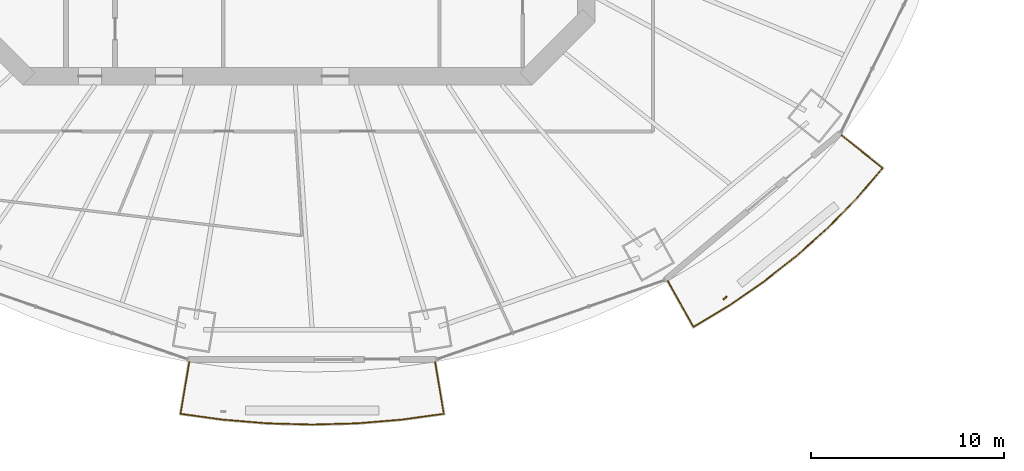
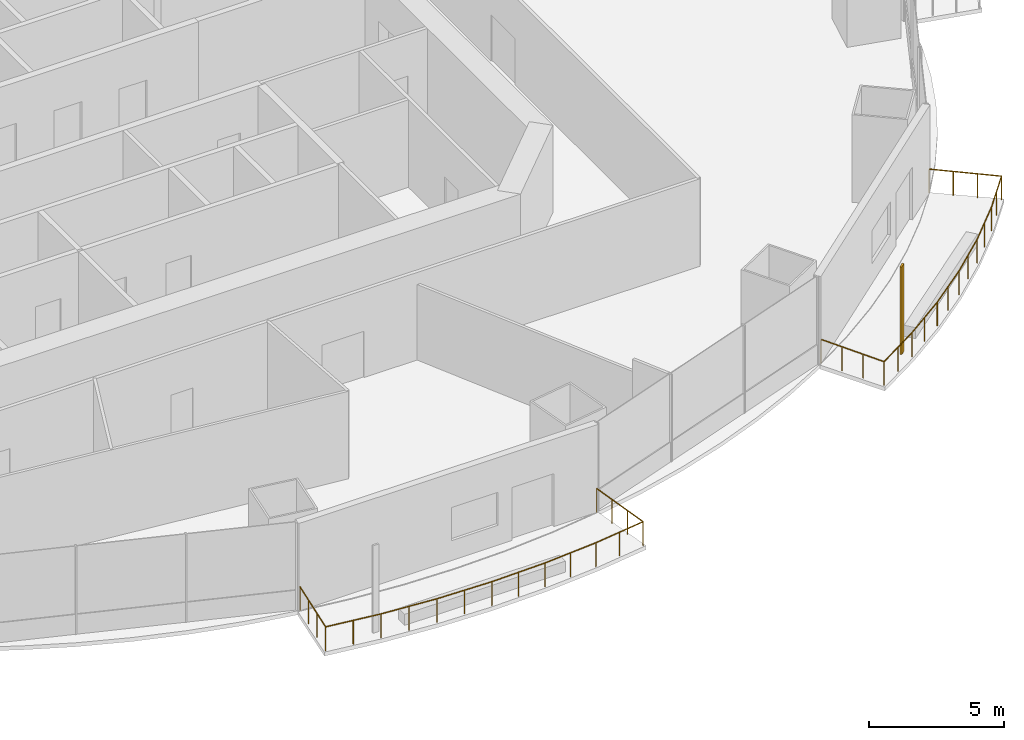
# One storey, part 17 of 21: 2 railings, 1 shading device.
"""IFC4 building model written with IfcOpenShell, lengths in metres."""

from ifc_helpers import new_model, si_unit, direction, frame, origin, origin_2d, place, context, subcontext, project, spatial, rectangle, circle, extrude, material, material_profile, profile_set, type_object, element, save


model = new_model("IFC4")

# Units and contexts
model_context = context("Model", 3, precision=1e-05, world=origin(), true_north=direction((0.0, 1.0)))
body_context = subcontext(model_context, "Body", "Model", "MODEL_VIEW")
ifc_project = project(units=[si_unit("LENGTHUNIT", "METRE"), si_unit("AREAUNIT", "SQUARE_METRE"), si_unit("VOLUMEUNIT", "CUBIC_METRE"), si_unit("PLANEANGLEUNIT", "RADIAN"), si_unit("MASSUNIT", "GRAM", prefix="KILO")], contexts=[model_context])

# Site, building, storey
site_placement = place(None, origin())
site = spatial("IfcSite", under=ifc_project, at=site_placement, CompositionType="ELEMENT")
building_placement = place(site_placement, origin())
building = spatial("IfcBuilding", under=site, at=building_placement, Name="Marenthal Gate Tower", CompositionType="ELEMENT")
storey_placement = place(building_placement, frame((0.0, 0.0, 161.050048828125)))
storey = spatial("IfcBuildingStorey", under=building, at=storey_placement, Name="L34", CompositionType="ELEMENT", Elevation=161.050048828125)

# Railings
ifc_material_1 = material(Name="Stainless steel", Category="steel")
railing_type = type_object("IfcRailingType", Name="Balcony guard 1100", PredefinedType="GUARDRAIL", material=ifc_material_1)
railing_1_placement = place(storey_placement, frame((8.162841796875, -27.792724609375, 0.0)))
element("IfcRailing", 1, at=railing_1_placement, inside=storey, type_object=railing_type, Name="Balcony guard L34 bay 12", PredefinedType="GUARDRAIL", context=body_context, shape_type="SweptSolid", body=[
    extrude(circle(Radius=0.02392578125, at=origin_2d()), frame((0.0, 0.0, 1.076171875), z_axis=(0.164774109377, -0.986221507592, -0.014718384498), x_axis=(0.986328347949, 0.164791959854, 0.0)), (0.0, 0.0, 1.0), 2.720458984375),
    extrude(circle(Radius=0.02392578125, at=origin_2d()), frame((0.4482421875, -2.682861328125, 1.0361328125), z_axis=(-0.990684581728, -0.136176574808, 0.0), x_axis=(0.136176574808, -0.990684581728, 0.0)), (0.0, 0.0, 1.0), 2.22314453125),
    extrude(circle(Radius=0.02392578125, at=origin_2d()), frame((-1.754150390625, -2.985595703125, 1.0361328125), z_axis=(-0.996597373324, -0.082423755581, 0.0), x_axis=(0.082423755581, -0.996597373324, 0.0)), (0.0, 0.0, 1.0), 2.307373046875),
    extrude(circle(Radius=0.02392578125, at=origin_2d()), frame((-4.0537109375, -3.17578125, 1.0361328125), z_axis=(-0.999622365191, -0.027479574429, 0.0), x_axis=(0.027479574429, -0.999622365191, 0.0)), (0.0, 0.0, 1.0), 2.31005859375),
    extrude(circle(Radius=0.02392578125, at=origin_2d()), frame((-6.36279296875, -3.2392578125, 1.0361328125), z_axis=(-0.999622365191, 0.027479574429, 0.0), x_axis=(-0.027479574429, -0.999622365191, 0.0)), (0.0, 0.0, 1.0), 2.31005859375),
    extrude(circle(Radius=0.02392578125, at=origin_2d()), frame((-8.671875, -3.17578125, 1.0361328125), z_axis=(-0.996598092029, 0.082415065148, 0.0), x_axis=(-0.082415065148, -0.996598092029, 0.0)), (0.0, 0.0, 1.0), 2.3076171875),
    extrude(circle(Radius=0.02392578125, at=origin_2d()), frame((-10.9716796875, -2.985595703125, 1.0361328125), z_axis=(-0.99068254489, 0.13619139198, 0.0), x_axis=(-0.13619139198, -0.99068254489, 0.0)), (0.0, 0.0, 1.0), 2.222900390625),
    extrude(circle(Radius=0.02392578125, at=origin_2d()), frame((-13.173828125, -2.682861328125, 1.0361328125), z_axis=(0.164774109377, 0.986221507592, 0.014718384498), x_axis=(-0.986328347949, 0.164791959854, 0.0)), (0.0, 0.0, 1.0), 2.720458984375),
    extrude(circle(Radius=0.02099609375, at=origin_2d()), origin(), (0.0, 0.0, 1.0), 1.052001953125),
    extrude(circle(Radius=0.02099609375, at=origin_2d()), frame((0.1494140625, -0.894287109375, -0.013427734375)), (0.0, 0.0, 1.0), 1.052001953125),
    extrude(circle(Radius=0.02099609375, at=origin_2d()), frame((0.298828125, -1.78857421875, -0.026611328125)), (0.0, 0.0, 1.0), 1.052001953125),
    extrude(circle(Radius=0.02099609375, at=origin_2d()), frame((0.4482421875, -2.682861328125, -0.0400390625)), (0.0, 0.0, 1.0), 1.052001953125),
    extrude(circle(Radius=0.02099609375, at=origin_2d()), frame((-0.65283203125, -2.834228515625, -0.0400390625)), (0.0, 0.0, 1.0), 1.052001953125),
    extrude(circle(Radius=0.02099609375, at=origin_2d()), frame((-1.754150390625, -2.985595703125, -0.0400390625)), (0.0, 0.0, 1.0), 1.052001953125),
    extrude(circle(Radius=0.02099609375, at=origin_2d()), frame((-2.90380859375, -3.08056640625, -0.0400390625)), (0.0, 0.0, 1.0), 1.052001953125),
    extrude(circle(Radius=0.02099609375, at=origin_2d()), frame((-4.0537109375, -3.17578125, -0.0400390625)), (0.0, 0.0, 1.0), 1.052001953125),
    extrude(circle(Radius=0.02099609375, at=origin_2d()), frame((-5.208251953125, -3.20751953125, -0.0400390625)), (0.0, 0.0, 1.0), 1.052001953125),
    extrude(circle(Radius=0.02099609375, at=origin_2d()), frame((-6.36279296875, -3.2392578125, -0.0400390625)), (0.0, 0.0, 1.0), 1.052001953125),
    extrude(circle(Radius=0.02099609375, at=origin_2d()), frame((-7.517333984375, -3.20751953125, -0.0400390625)), (0.0, 0.0, 1.0), 1.052001953125),
    extrude(circle(Radius=0.02099609375, at=origin_2d()), frame((-8.671875, -3.17578125, -0.0400390625)), (0.0, 0.0, 1.0), 1.052001953125),
    extrude(circle(Radius=0.02099609375, at=origin_2d()), frame((-9.82177734375, -3.08056640625, -0.0400390625)), (0.0, 0.0, 1.0), 1.052001953125),
    extrude(circle(Radius=0.02099609375, at=origin_2d()), frame((-10.9716796875, -2.985595703125, -0.0400390625)), (0.0, 0.0, 1.0), 1.052001953125),
    extrude(circle(Radius=0.02099609375, at=origin_2d()), frame((-12.07275390625, -2.834228515625, -0.0400390625)), (0.0, 0.0, 1.0), 1.052001953125),
    extrude(circle(Radius=0.02099609375, at=origin_2d()), frame((-13.173828125, -2.682861328125, -0.0400390625)), (0.0, 0.0, 1.0), 1.052001953125),
    extrude(circle(Radius=0.02099609375, at=origin_2d()), frame((-13.0244140625, -1.78857421875, -0.026611328125)), (0.0, 0.0, 1.0), 1.052001953125),
    extrude(circle(Radius=0.02099609375, at=origin_2d()), frame((-12.875, -0.894287109375, -0.013427734375)), (0.0, 0.0, 1.0), 1.052001953125),
    extrude(circle(Radius=0.02099609375, at=origin_2d()), frame((-12.7255859375, 0.0, 0.0)), (0.0, 0.0, 1.0), 1.052001953125),
])
railing_2_placement = place(storey_placement, frame((29.20458984375, -16.05859375, 0.0)))
element("IfcRailing", 2, at=railing_2_placement, inside=storey, type_object=railing_type, Name="Balcony guard L34 bay 14", PredefinedType="GUARDRAIL", context=body_context, shape_type="SweptSolid", body=[
    extrude(circle(Radius=0.02392578125, at=origin_2d()), frame((0.0, 0.0, 1.076171875), z_axis=(0.782541115897, -0.622424892619, -0.014719204382), x_axis=(0.622492329303, 0.782625900388, 0.0)), (0.0, 0.0, 1.0), 2.72021484375),
    extrude(circle(Radius=0.02392578125, at=origin_2d()), frame((2.128662109375, -1.693115234375, 1.0361328125), z_axis=(-0.650348633752, -0.759635869727, 0.0), x_axis=(0.759635869727, -0.650348633752, 0.0)), (0.0, 0.0, 1.0), 2.0439453125),
    extrude(circle(Radius=0.02392578125, at=origin_2d()), frame((0.79931640625, -3.245849609375, 1.0361328125), z_axis=(-0.69902569002, -0.715096556202, 0.0), x_axis=(0.715096556202, -0.69902569002, 0.0)), (0.0, 0.0, 1.0), 2.14208984375),
    extrude(circle(Radius=0.02392578125, at=origin_2d()), frame((-0.697998046875, -4.777587890625, 1.0361328125), z_axis=(-0.744747583636, -0.667346264445, 0.0), x_axis=(0.667346264445, -0.744747583636, 0.0)), (0.0, 0.0, 1.0), 2.16064453125),
    extrude(circle(Radius=0.02392578125, at=origin_2d()), frame((-2.30712890625, -6.219482421875, 1.0361328125), z_axis=(-0.786162827468, -0.618019424215, 0.0), x_axis=(0.618019424215, -0.786162827468, 0.0)), (0.0, 0.0, 1.0), 2.179443359375),
    extrude(circle(Radius=0.02392578125, at=origin_2d()), frame((-4.0205078125, -7.56640625, 1.0361328125), z_axis=(-0.823545660097, -0.567249985223, 0.0), x_axis=(0.567249985223, -0.823545660097, 0.0)), (0.0, 0.0, 1.0), 2.197509765625),
    extrude(circle(Radius=0.02392578125, at=origin_2d()), frame((-5.830322265625, -8.81298828125, 1.0361328125), z_axis=(-0.856310567602, -0.516461239411, 0.0), x_axis=(0.516461239411, -0.856310567602, 0.0)), (0.0, 0.0, 1.0), 2.1357421875),
    extrude(circle(Radius=0.02392578125, at=origin_2d()), frame((-7.6591796875, -9.916015625, 1.0361328125), z_axis=(-0.4893727887, 0.871950488724, 0.014717978608), x_axis=(-0.872044944545, -0.489425801009, 0.0)), (0.0, 0.0, 1.0), 2.720458984375),
    extrude(circle(Radius=0.02099609375, at=origin_2d()), origin(), (0.0, 0.0, 1.0), 1.052001953125),
    extrude(circle(Radius=0.02099609375, at=origin_2d()), frame((0.70947265625, -0.564453125, -0.013427734375)), (0.0, 0.0, 1.0), 1.052001953125),
    extrude(circle(Radius=0.02099609375, at=origin_2d()), frame((1.419189453125, -1.128662109375, -0.026611328125)), (0.0, 0.0, 1.0), 1.052001953125),
    extrude(circle(Radius=0.02099609375, at=origin_2d()), frame((2.128662109375, -1.693115234375, -0.0400390625)), (0.0, 0.0, 1.0), 1.052001953125),
    extrude(circle(Radius=0.02099609375, at=origin_2d()), frame((1.4638671875, -2.469482421875, -0.0400390625)), (0.0, 0.0, 1.0), 1.052001953125),
    extrude(circle(Radius=0.02099609375, at=origin_2d()), frame((0.79931640625, -3.245849609375, -0.0400390625)), (0.0, 0.0, 1.0), 1.052001953125),
    extrude(circle(Radius=0.02099609375, at=origin_2d()), frame((0.05078125, -4.01171875, -0.0400390625)), (0.0, 0.0, 1.0), 1.052001953125),
    extrude(circle(Radius=0.02099609375, at=origin_2d()), frame((-0.697998046875, -4.777587890625, -0.0400390625)), (0.0, 0.0, 1.0), 1.052001953125),
    extrude(circle(Radius=0.02099609375, at=origin_2d()), frame((-1.50244140625, -5.49853515625, -0.0400390625)), (0.0, 0.0, 1.0), 1.052001953125),
    extrude(circle(Radius=0.02099609375, at=origin_2d()), frame((-2.30712890625, -6.219482421875, -0.0400390625)), (0.0, 0.0, 1.0), 1.052001953125),
    extrude(circle(Radius=0.02099609375, at=origin_2d()), frame((-3.163818359375, -6.89306640625, -0.0400390625)), (0.0, 0.0, 1.0), 1.052001953125),
    extrude(circle(Radius=0.02099609375, at=origin_2d()), frame((-4.0205078125, -7.56640625, -0.0400390625)), (0.0, 0.0, 1.0), 1.052001953125),
    extrude(circle(Radius=0.02099609375, at=origin_2d()), frame((-4.92529296875, -8.189697265625, -0.0400390625)), (0.0, 0.0, 1.0), 1.052001953125),
    extrude(circle(Radius=0.02099609375, at=origin_2d()), frame((-5.830322265625, -8.81298828125, -0.0400390625)), (0.0, 0.0, 1.0), 1.052001953125),
    extrude(circle(Radius=0.02099609375, at=origin_2d()), frame((-6.74462890625, -9.364501953125, -0.0400390625)), (0.0, 0.0, 1.0), 1.052001953125),
    extrude(circle(Radius=0.02099609375, at=origin_2d()), frame((-7.6591796875, -9.916015625, -0.0400390625)), (0.0, 0.0, 1.0), 1.052001953125),
    extrude(circle(Radius=0.02099609375, at=origin_2d()), frame((-8.10302734375, -9.125244140625, -0.026611328125)), (0.0, 0.0, 1.0), 1.052001953125),
    extrude(circle(Radius=0.02099609375, at=origin_2d()), frame((-8.546630859375, -8.334716796875, -0.013427734375)), (0.0, 0.0, 1.0), 1.052001953125),
    extrude(circle(Radius=0.02099609375, at=origin_2d()), frame((-8.990478515625, -7.5439453125, 0.0)), (0.0, 0.0, 1.0), 1.052001953125),
])

# Shading device
ifc_material_2 = material(Name="Terracotta", Category="masonry")
ifc_material_profile = material_profile(ifc_material_2, rectangle(XDim=0.25, YDim=0.080078125, at=origin_2d()), Name="Terracotta baguette 250x80")
ifc_profile_set = profile_set([ifc_material_profile], Name="Terracotta")
shading_device_type = type_object("IfcShadingDeviceType", Name="Terracotta BAGUETTE SCREEN 250x80", PredefinedType="USERDEFINED", material=ifc_profile_set)
shading_device_placement = place(storey_placement, frame((23.17919921875, -24.473388671875, -0.0400390625), z_axis=(0.0, 0.0, 1.0), x_axis=(0.765921119211, 0.642934552771, 0.0)))
element("IfcShadingDevice", 3, at=shading_device_placement, inside=storey, type_object=shading_device_type, Name="Terracotta BAGUETTE L34 bay 14L", ObjectType="BAGUETTE SCREEN", PredefinedType="USERDEFINED", context=body_context, shape_type="SweptSolid", body=[
    extrude(rectangle(XDim=0.25, YDim=0.080078125, at=origin_2d()), origin(), (0.0, 0.0, 1.0), 3.969970703125),
])

save(model, "model.ifc")
